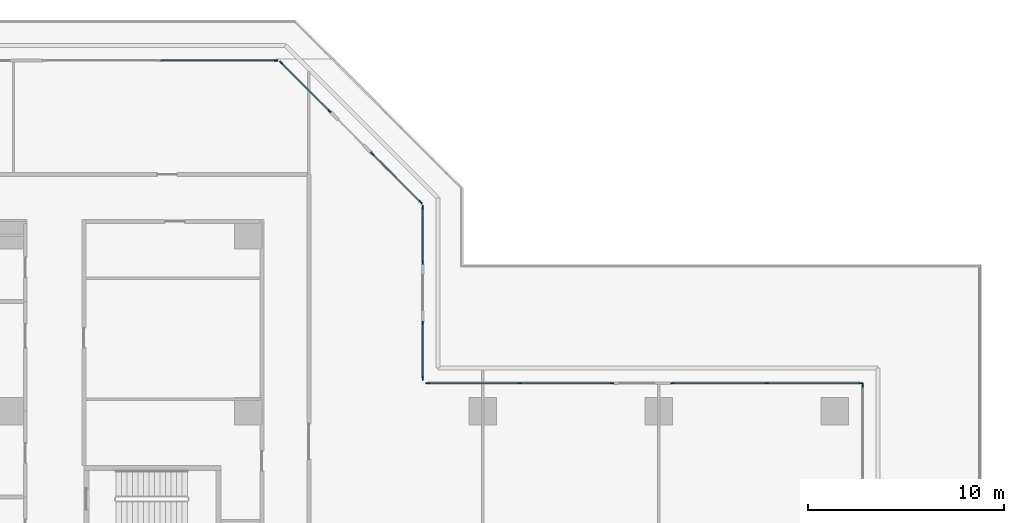
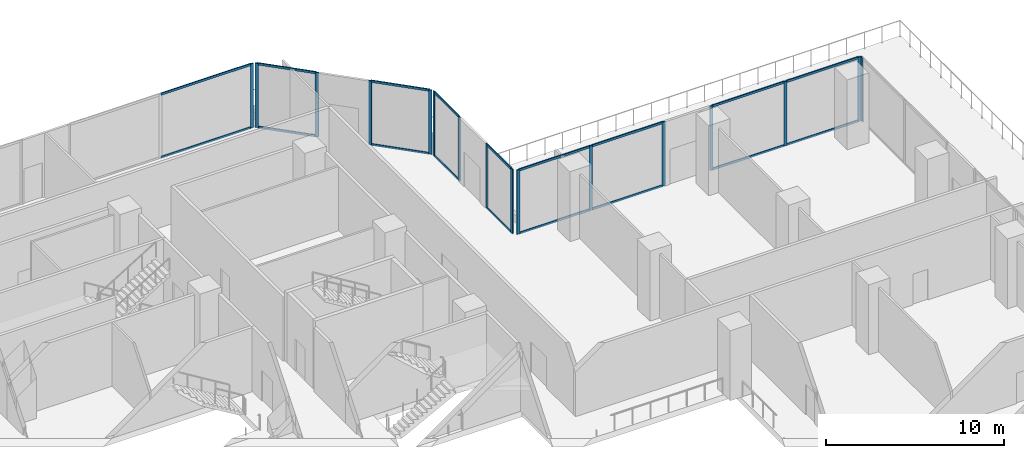
# One storey, part 9 of 26: 34 members, 8 elements without a shape of their own.
"""IFC4 building model written with IfcOpenShell, lengths in metres."""

from ifc_helpers import new_model, si_unit, direction, frame, origin, origin_2d, place, context, subcontext, project, spatial, rectangle, extrude, material, layer, layer_set, material_profile, profile_set, type_object, element, aggregate, save


model = new_model("IFC4")

# Units and contexts
model_context = context("Model", 3, precision=1e-05, world=origin(), true_north=direction((0.0, 1.0)))
body_context = subcontext(model_context, "Body", "Model", "MODEL_VIEW")
ifc_project = project(units=[si_unit("LENGTHUNIT", "METRE"), si_unit("AREAUNIT", "SQUARE_METRE"), si_unit("VOLUMEUNIT", "CUBIC_METRE"), si_unit("PLANEANGLEUNIT", "RADIAN"), si_unit("MASSUNIT", "GRAM", prefix="KILO")], contexts=[model_context])

# Site, building, storey
site_placement = place(None, origin())
site = spatial("IfcSite", under=ifc_project, at=site_placement, CompositionType="ELEMENT")
building_placement = place(site_placement, origin())
building = spatial("IfcBuilding", under=site, at=building_placement, Name="Chenar Terraces", CompositionType="ELEMENT")
storey_placement = place(building_placement, frame((0.0, 0.0, 16.800048828125)))
storey = spatial("IfcBuildingStorey", under=building, at=storey_placement, Name="L03", CompositionType="ELEMENT", Elevation=16.800048828125)

# Curtain wall, members
ifc_material_1 = material(Name="Aluminium framed glazing", Category="aluminium")
ifc_layer = layer(ifc_material_1, 0.14990234375)
ifc_layer_set = layer_set([ifc_layer], Name="Aluminium framed glazing")
curtain_wall_type = type_object("IfcCurtainWallType", Name="School curtain wall", PredefinedType="NOTDEFINED", material=ifc_layer_set)
placement = place(storey_placement, origin())
curtain_wall_1 = element("IfcCurtainWall", 1, at=placement, inside=storey, type_object=curtain_wall_type, Name="School curtain wall", PredefinedType="NOTDEFINED")
ifc_material_2 = material(Name="Aluminium", Category="aluminium")
ifc_material_profile_1 = material_profile(ifc_material_2, rectangle(XDim=0.070068359375, YDim=0.199951171875, at=origin_2d()), Name="School glazing mullion 70 x 200")
ifc_profile_set_1 = profile_set([ifc_material_profile_1], Name="Aluminium")
member_type_1 = type_object("IfcMemberType", Name="School glazing mullion 70 x 200", PredefinedType="MULLION", material=ifc_profile_set_1)
member_1_placement = place(storey_placement, frame((32.925048828125, 55.68505859375, 0.0), z_axis=(0.0, 0.0, 1.0), x_axis=(-1.0, 0.0, 0.0)))
member_1 = element("IfcMember", 2, at=member_1_placement, type_object=member_type_1, Name="CW2-01c0 mullion 1", PredefinedType="MULLION", context=body_context, shape_type="SweptSolid", body=[
    extrude(rectangle(XDim=0.070068359375, YDim=0.199951171875, at=origin_2d()), origin(), (0.0, 0.0, 1.0), 4.39990234375),
])
member_2_placement = place(storey_placement, frame((32.925048828125, 58.505859375, 0.0), z_axis=(0.0, 0.0, 1.0), x_axis=(-1.0, 0.0, 0.0)))
member_2 = element("IfcMember", 3, at=member_2_placement, type_object=member_type_1, Name="CW2-01c0 mullion 2", PredefinedType="MULLION", context=body_context, shape_type="SweptSolid", body=[
    extrude(rectangle(XDim=0.070068359375, YDim=0.199951171875, at=origin_2d()), origin(), (0.0, 0.0, 1.0), 4.39990234375),
])

curtain_wall_2 = element("IfcCurtainWall", 4, at=placement, inside=storey, type_object=curtain_wall_type, Name="School curtain wall", PredefinedType="NOTDEFINED")
member_3_placement = place(storey_placement, frame((32.925048828125, 61.600830078125, 0.0), z_axis=(0.0, 0.0, 1.0), x_axis=(-1.0, 0.0, 0.0)))
member_3 = element("IfcMember", 5, at=member_3_placement, type_object=member_type_1, Name="CW2-01c1 mullion 1", PredefinedType="MULLION", context=body_context, shape_type="SweptSolid", body=[
    extrude(rectangle(XDim=0.070068359375, YDim=0.199951171875, at=origin_2d()), origin(), (0.0, 0.0, 1.0), 4.39990234375),
])
member_4_placement = place(storey_placement, frame((32.925048828125, 64.421630859375, 0.0), z_axis=(0.0, 0.0, 1.0), x_axis=(-1.0, 0.0, 0.0)))
member_4 = element("IfcMember", 6, at=member_4_placement, type_object=member_type_1, Name="CW2-01c1 mullion 2", PredefinedType="MULLION", context=body_context, shape_type="SweptSolid", body=[
    extrude(rectangle(XDim=0.070068359375, YDim=0.199951171875, at=origin_2d()), origin(), (0.0, 0.0, 1.0), 4.39990234375),
])

curtain_wall_3 = element("IfcCurtainWall", 7, at=placement, inside=storey, type_object=curtain_wall_type, Name="School curtain wall", PredefinedType="NOTDEFINED")
member_5_placement = place(storey_placement, frame((32.816162109375, 64.684326171875, 0.0), z_axis=(0.0, 0.0, 1.0), x_axis=(-0.707106781187, -0.707106781187, 0.0)))
member_5 = element("IfcMember", 8, at=member_5_placement, type_object=member_type_1, Name="CW2-02c0 mullion 1", PredefinedType="MULLION", context=body_context, shape_type="SweptSolid", body=[
    extrude(rectangle(XDim=0.070068359375, YDim=0.199951171875, at=origin_2d()), origin(), (0.0, 0.0, 1.0), 4.39990234375),
])
member_6_placement = place(storey_placement, frame((30.344482421875, 67.156005859375, 0.0), z_axis=(0.0, 0.0, 1.0), x_axis=(-0.707106781187, -0.707106781187, 0.0)))
member_6 = element("IfcMember", 9, at=member_6_placement, type_object=member_type_1, Name="CW2-02c0 mullion 2", PredefinedType="MULLION", context=body_context, shape_type="SweptSolid", body=[
    extrude(rectangle(XDim=0.070068359375, YDim=0.199951171875, at=origin_2d()), origin(), (0.0, 0.0, 1.0), 4.39990234375),
])

curtain_wall_4 = element("IfcCurtainWall", 10, at=placement, inside=storey, type_object=curtain_wall_type, Name="School curtain wall", PredefinedType="NOTDEFINED")
member_7_placement = place(storey_placement, frame((28.156005859375, 69.344482421875, 0.0), z_axis=(0.0, 0.0, 1.0), x_axis=(-0.707106781187, -0.707106781187, 0.0)))
member_7 = element("IfcMember", 11, at=member_7_placement, type_object=member_type_1, Name="CW2-02c1 mullion 1", PredefinedType="MULLION", context=body_context, shape_type="SweptSolid", body=[
    extrude(rectangle(XDim=0.070068359375, YDim=0.199951171875, at=origin_2d()), origin(), (0.0, 0.0, 1.0), 4.39990234375),
])
member_8_placement = place(storey_placement, frame((25.684326171875, 71.816162109375, 0.0), z_axis=(0.0, 0.0, 1.0), x_axis=(-0.707106781187, -0.707106781187, 0.0)))
member_8 = element("IfcMember", 12, at=member_8_placement, type_object=member_type_1, Name="CW2-02c1 mullion 2", PredefinedType="MULLION", context=body_context, shape_type="SweptSolid", body=[
    extrude(rectangle(XDim=0.070068359375, YDim=0.199951171875, at=origin_2d()), origin(), (0.0, 0.0, 1.0), 4.39990234375),
])

# Curtain wall, member
curtain_wall_5 = element("IfcCurtainWall", 13, at=placement, inside=storey, type_object=curtain_wall_type, Name="School curtain wall", PredefinedType="NOTDEFINED")
member_9_placement = place(storey_placement, frame((25.421630859375, 71.925048828125, 0.0), z_axis=(0.0, 0.0, 1.0), x_axis=(0.0, -1.0, 0.0)))
member_9 = element("IfcMember", 14, at=member_9_placement, type_object=member_type_1, Name="CW2-03c0 mullion 1", PredefinedType="MULLION", context=body_context, shape_type="SweptSolid", body=[
    extrude(rectangle(XDim=0.070068359375, YDim=0.199951171875, at=origin_2d()), origin(), (0.0, 0.0, 1.0), 4.39990234375),
])

curtain_wall_6 = element("IfcCurtainWall", 15, at=placement, inside=storey, type_object=curtain_wall_type, Name="School curtain wall", PredefinedType="NOTDEFINED")
member_10_placement = place(storey_placement, frame((55.425048828125, 55.31494140625, 0.0), z_axis=(0.0, 0.0, 1.0), x_axis=(-1.0, 0.0, 0.0)))
member_10 = element("IfcMember", 16, at=member_10_placement, type_object=member_type_1, Name="CW2-12c1 mullion 3", PredefinedType="MULLION", context=body_context, shape_type="SweptSolid", body=[
    extrude(rectangle(XDim=0.070068359375, YDim=0.199951171875, at=origin_2d()), origin(), (0.0, 0.0, 1.0), 4.39990234375),
])
aggregate(curtain_wall_6, [member_10])

# Curtain wall, members
curtain_wall_7 = element("IfcCurtainWall", 17, at=placement, inside=storey, type_object=curtain_wall_type, Name="School curtain wall", PredefinedType="NOTDEFINED")
member_11_placement = place(storey_placement, frame((55.31494140625, 55.425048828125, 0.0), z_axis=(0.0, 0.0, 1.0), x_axis=(0.0, -1.0, 0.0)))
member_11 = element("IfcMember", 18, at=member_11_placement, type_object=member_type_1, Name="CW2-13c0 mullion 1", PredefinedType="MULLION", context=body_context, shape_type="SweptSolid", body=[
    extrude(rectangle(XDim=0.070068359375, YDim=0.199951171875, at=origin_2d()), origin(), (0.0, 0.0, 1.0), 4.39990234375),
])
member_12_placement = place(storey_placement, frame((50.50634765625, 55.425048828125, 0.0), z_axis=(0.0, 0.0, 1.0), x_axis=(0.0, -1.0, 0.0)))
member_12 = element("IfcMember", 19, at=member_12_placement, type_object=member_type_1, Name="CW2-13c0 mullion 2", PredefinedType="MULLION", context=body_context, shape_type="SweptSolid", body=[
    extrude(rectangle(XDim=0.070068359375, YDim=0.199951171875, at=origin_2d()), origin(), (0.0, 0.0, 1.0), 4.39990234375),
])
member_13_placement = place(storey_placement, frame((45.697509765625, 55.425048828125, 0.0), z_axis=(0.0, 0.0, 1.0), x_axis=(0.0, -1.0, 0.0)))
member_13 = element("IfcMember", 20, at=member_13_placement, type_object=member_type_1, Name="CW2-13c0 mullion 3", PredefinedType="MULLION", context=body_context, shape_type="SweptSolid", body=[
    extrude(rectangle(XDim=0.070068359375, YDim=0.199951171875, at=origin_2d()), origin(), (0.0, 0.0, 1.0), 4.39990234375),
])

curtain_wall_8 = element("IfcCurtainWall", 21, at=placement, inside=storey, type_object=curtain_wall_type, Name="School curtain wall", PredefinedType="NOTDEFINED")
member_14_placement = place(storey_placement, frame((42.6025390625, 55.425048828125, 0.0), z_axis=(0.0, 0.0, 1.0), x_axis=(0.0, -1.0, 0.0)))
member_14 = element("IfcMember", 22, at=member_14_placement, type_object=member_type_1, Name="CW2-13c1 mullion 1", PredefinedType="MULLION", context=body_context, shape_type="SweptSolid", body=[
    extrude(rectangle(XDim=0.070068359375, YDim=0.199951171875, at=origin_2d()), origin(), (0.0, 0.0, 1.0), 4.39990234375),
])
member_15_placement = place(storey_placement, frame((37.893798828125, 55.425048828125, 0.0), z_axis=(0.0, 0.0, 1.0), x_axis=(0.0, -1.0, 0.0)))
member_15 = element("IfcMember", 23, at=member_15_placement, type_object=member_type_1, Name="CW2-13c1 mullion 2", PredefinedType="MULLION", context=body_context, shape_type="SweptSolid", body=[
    extrude(rectangle(XDim=0.070068359375, YDim=0.199951171875, at=origin_2d()), origin(), (0.0, 0.0, 1.0), 4.39990234375),
])
member_16_placement = place(storey_placement, frame((33.18505859375, 55.425048828125, 0.0), z_axis=(0.0, 0.0, 1.0), x_axis=(0.0, -1.0, 0.0)))
member_16 = element("IfcMember", 24, at=member_16_placement, type_object=member_type_1, Name="CW2-13c1 mullion 3", PredefinedType="MULLION", context=body_context, shape_type="SweptSolid", body=[
    extrude(rectangle(XDim=0.070068359375, YDim=0.199951171875, at=origin_2d()), origin(), (0.0, 0.0, 1.0), 4.39990234375),
])

# Member
ifc_material_3 = material(Name="Aluminium", Category="aluminium")
ifc_material_profile_2 = material_profile(ifc_material_3, rectangle(XDim=0.070068359375, YDim=0.14990234375, at=origin_2d()), Name="School glazing transom 70 x 150")
ifc_profile_set_2 = profile_set([ifc_material_profile_2], Name="Aluminium")
member_type_2 = type_object("IfcMemberType", Name="School glazing transom 70 x 150", PredefinedType="USERDEFINED", material=ifc_profile_set_2)
member_17_placement = place(storey_placement, frame((32.925048828125, 55.719970703125, 0.034912109375), z_axis=(0.0, 1.0, 0.0), x_axis=(-1.0, 0.0, 0.0)))
member_17 = element("IfcMember", 25, at=member_17_placement, type_object=member_type_2, Name="CW2-01c0 transom 1.1", ObjectType="TRANSOM", PredefinedType="USERDEFINED", context=body_context, shape_type="SweptSolid", body=[
    extrude(rectangle(XDim=0.070068359375, YDim=0.14990234375, at=origin_2d()), origin(), (0.0, 0.0, 1.0), 2.750732421875),
])

member_18_placement = place(storey_placement, frame((32.925048828125, 55.719970703125, 4.364990234375), z_axis=(0.0, 1.0, 0.0), x_axis=(-1.0, 0.0, 0.0)))
member_18 = element("IfcMember", 26, at=member_18_placement, type_object=member_type_2, Name="CW2-01c0 transom 1.2", ObjectType="TRANSOM", PredefinedType="USERDEFINED", context=body_context, shape_type="SweptSolid", body=[
    extrude(rectangle(XDim=0.070068359375, YDim=0.14990234375, at=origin_2d()), origin(), (0.0, 0.0, 1.0), 2.750732421875),
])

aggregate(curtain_wall_1, [member_1, member_2, member_17, member_18])

member_19_placement = place(storey_placement, frame((32.925048828125, 61.6357421875, 0.034912109375), z_axis=(0.0, 1.0, 0.0), x_axis=(-1.0, 0.0, 0.0)))
member_19 = element("IfcMember", 27, at=member_19_placement, type_object=member_type_2, Name="CW2-01c1 transom 1.1", ObjectType="TRANSOM", PredefinedType="USERDEFINED", context=body_context, shape_type="SweptSolid", body=[
    extrude(rectangle(XDim=0.070068359375, YDim=0.14990234375, at=origin_2d()), origin(), (0.0, 0.0, 1.0), 2.7509765625),
])

member_20_placement = place(storey_placement, frame((32.925048828125, 61.6357421875, 4.364990234375), z_axis=(0.0, 1.0, 0.0), x_axis=(-1.0, 0.0, 0.0)))
member_20 = element("IfcMember", 28, at=member_20_placement, type_object=member_type_2, Name="CW2-01c1 transom 1.2", ObjectType="TRANSOM", PredefinedType="USERDEFINED", context=body_context, shape_type="SweptSolid", body=[
    extrude(rectangle(XDim=0.070068359375, YDim=0.14990234375, at=origin_2d()), origin(), (0.0, 0.0, 1.0), 2.7509765625),
])

aggregate(curtain_wall_2, [member_3, member_4, member_19, member_20])

member_21_placement = place(storey_placement, frame((32.79150390625, 64.709228515625, 0.034912109375), z_axis=(-0.707106781187, 0.707106781187, 0.0), x_axis=(-0.707106781187, -0.707106781187, 0.0)))
member_21 = element("IfcMember", 29, at=member_21_placement, type_object=member_type_2, Name="CW2-02c0 transom 1.1", ObjectType="TRANSOM", PredefinedType="USERDEFINED", context=body_context, shape_type="SweptSolid", body=[
    extrude(rectangle(XDim=0.070068359375, YDim=0.14990234375, at=origin_2d()), origin(), (0.0, 0.0, 1.0), 3.42529296875),
])

member_22_placement = place(storey_placement, frame((32.79150390625, 64.709228515625, 4.364990234375), z_axis=(-0.707106781187, 0.707106781187, 0.0), x_axis=(-0.707106781187, -0.707106781187, 0.0)))
member_22 = element("IfcMember", 30, at=member_22_placement, type_object=member_type_2, Name="CW2-02c0 transom 1.2", ObjectType="TRANSOM", PredefinedType="USERDEFINED", context=body_context, shape_type="SweptSolid", body=[
    extrude(rectangle(XDim=0.070068359375, YDim=0.14990234375, at=origin_2d()), origin(), (0.0, 0.0, 1.0), 3.42529296875),
])

aggregate(curtain_wall_3, [member_5, member_6, member_21, member_22])

member_23_placement = place(storey_placement, frame((28.13134765625, 69.369384765625, 0.034912109375), z_axis=(-0.707106781187, 0.707106781187, 0.0), x_axis=(-0.707106781187, -0.707106781187, 0.0)))
member_23 = element("IfcMember", 31, at=member_23_placement, type_object=member_type_2, Name="CW2-02c1 transom 1.1", ObjectType="TRANSOM", PredefinedType="USERDEFINED", context=body_context, shape_type="SweptSolid", body=[
    extrude(rectangle(XDim=0.070068359375, YDim=0.14990234375, at=origin_2d()), origin(), (0.0, 0.0, 1.0), 3.42529296875),
])

member_24_placement = place(storey_placement, frame((28.13134765625, 69.369384765625, 4.364990234375), z_axis=(-0.707106781187, 0.707106781187, 0.0), x_axis=(-0.707106781187, -0.707106781187, 0.0)))
member_24 = element("IfcMember", 32, at=member_24_placement, type_object=member_type_2, Name="CW2-02c1 transom 1.2", ObjectType="TRANSOM", PredefinedType="USERDEFINED", context=body_context, shape_type="SweptSolid", body=[
    extrude(rectangle(XDim=0.070068359375, YDim=0.14990234375, at=origin_2d()), origin(), (0.0, 0.0, 1.0), 3.42529296875),
])

aggregate(curtain_wall_4, [member_7, member_8, member_23, member_24])

member_25_placement = place(storey_placement, frame((25.38671875, 71.925048828125, 0.034912109375), z_axis=(-1.0, 0.0, 0.0), x_axis=(0.0, -1.0, 0.0)))
member_25 = element("IfcMember", 33, at=member_25_placement, type_object=member_type_2, Name="CW2-03c0 transom 1.1", ObjectType="TRANSOM", PredefinedType="USERDEFINED", context=body_context, shape_type="SweptSolid", body=[
    extrude(rectangle(XDim=0.070068359375, YDim=0.14990234375, at=origin_2d()), origin(), (0.0, 0.0, 1.0), 5.8671875),
])

member_26_placement = place(storey_placement, frame((25.38671875, 71.925048828125, 4.364990234375), z_axis=(-1.0, 0.0, 0.0), x_axis=(0.0, -1.0, 0.0)))
member_26 = element("IfcMember", 34, at=member_26_placement, type_object=member_type_2, Name="CW2-03c0 transom 1.2", ObjectType="TRANSOM", PredefinedType="USERDEFINED", context=body_context, shape_type="SweptSolid", body=[
    extrude(rectangle(XDim=0.070068359375, YDim=0.14990234375, at=origin_2d()), origin(), (0.0, 0.0, 1.0), 5.8671875),
])

aggregate(curtain_wall_5, [member_9, member_25, member_26])

member_27_placement = place(storey_placement, frame((55.280029296875, 55.425048828125, 0.034912109375), z_axis=(-1.0, 0.0, 0.0), x_axis=(0.0, -1.0, 0.0)))
member_27 = element("IfcMember", 35, at=member_27_placement, type_object=member_type_2, Name="CW2-13c0 transom 1.1", ObjectType="TRANSOM", PredefinedType="USERDEFINED", context=body_context, shape_type="SweptSolid", body=[
    extrude(rectangle(XDim=0.070068359375, YDim=0.14990234375, at=origin_2d()), origin(), (0.0, 0.0, 1.0), 4.73876953125),
])

member_28_placement = place(storey_placement, frame((55.280029296875, 55.425048828125, 4.364990234375), z_axis=(-1.0, 0.0, 0.0), x_axis=(0.0, -1.0, 0.0)))
member_28 = element("IfcMember", 36, at=member_28_placement, type_object=member_type_2, Name="CW2-13c0 transom 1.2", ObjectType="TRANSOM", PredefinedType="USERDEFINED", context=body_context, shape_type="SweptSolid", body=[
    extrude(rectangle(XDim=0.070068359375, YDim=0.14990234375, at=origin_2d()), origin(), (0.0, 0.0, 1.0), 4.73876953125),
])

member_29_placement = place(storey_placement, frame((50.47119140625, 55.425048828125, 0.034912109375), z_axis=(-1.0, 0.0, 0.0), x_axis=(0.0, -1.0, 0.0)))
member_29 = element("IfcMember", 37, at=member_29_placement, type_object=member_type_2, Name="CW2-13c0 transom 2.1", ObjectType="TRANSOM", PredefinedType="USERDEFINED", context=body_context, shape_type="SweptSolid", body=[
    extrude(rectangle(XDim=0.070068359375, YDim=0.14990234375, at=origin_2d()), origin(), (0.0, 0.0, 1.0), 4.73876953125),
])

member_30_placement = place(storey_placement, frame((50.47119140625, 55.425048828125, 4.364990234375), z_axis=(-1.0, 0.0, 0.0), x_axis=(0.0, -1.0, 0.0)))
member_30 = element("IfcMember", 38, at=member_30_placement, type_object=member_type_2, Name="CW2-13c0 transom 2.2", ObjectType="TRANSOM", PredefinedType="USERDEFINED", context=body_context, shape_type="SweptSolid", body=[
    extrude(rectangle(XDim=0.070068359375, YDim=0.14990234375, at=origin_2d()), origin(), (0.0, 0.0, 1.0), 4.73876953125),
])

aggregate(curtain_wall_7, [member_11, member_12, member_13, member_27, member_28, member_29, member_30])

member_31_placement = place(storey_placement, frame((42.5673828125, 55.425048828125, 0.034912109375), z_axis=(-1.0, 0.0, 0.0), x_axis=(0.0, -1.0, 0.0)))
member_31 = element("IfcMember", 39, at=member_31_placement, type_object=member_type_2, Name="CW2-13c1 transom 1.1", ObjectType="TRANSOM", PredefinedType="USERDEFINED", context=body_context, shape_type="SweptSolid", body=[
    extrude(rectangle(XDim=0.070068359375, YDim=0.14990234375, at=origin_2d()), origin(), (0.0, 0.0, 1.0), 4.638671875),
])

member_32_placement = place(storey_placement, frame((42.5673828125, 55.425048828125, 4.364990234375), z_axis=(-1.0, 0.0, 0.0), x_axis=(0.0, -1.0, 0.0)))
member_32 = element("IfcMember", 40, at=member_32_placement, type_object=member_type_2, Name="CW2-13c1 transom 1.2", ObjectType="TRANSOM", PredefinedType="USERDEFINED", context=body_context, shape_type="SweptSolid", body=[
    extrude(rectangle(XDim=0.070068359375, YDim=0.14990234375, at=origin_2d()), origin(), (0.0, 0.0, 1.0), 4.638671875),
])

member_33_placement = place(storey_placement, frame((37.858642578125, 55.425048828125, 0.034912109375), z_axis=(-1.0, 0.0, 0.0), x_axis=(0.0, -1.0, 0.0)))
member_33 = element("IfcMember", 41, at=member_33_placement, type_object=member_type_2, Name="CW2-13c1 transom 2.1", ObjectType="TRANSOM", PredefinedType="USERDEFINED", context=body_context, shape_type="SweptSolid", body=[
    extrude(rectangle(XDim=0.070068359375, YDim=0.14990234375, at=origin_2d()), origin(), (0.0, 0.0, 1.0), 4.638671875),
])

member_34_placement = place(storey_placement, frame((37.858642578125, 55.425048828125, 4.364990234375), z_axis=(-1.0, 0.0, 0.0), x_axis=(0.0, -1.0, 0.0)))
member_34 = element("IfcMember", 42, at=member_34_placement, type_object=member_type_2, Name="CW2-13c1 transom 2.2", ObjectType="TRANSOM", PredefinedType="USERDEFINED", context=body_context, shape_type="SweptSolid", body=[
    extrude(rectangle(XDim=0.070068359375, YDim=0.14990234375, at=origin_2d()), origin(), (0.0, 0.0, 1.0), 4.638671875),
])

aggregate(curtain_wall_8, [member_14, member_15, member_16, member_31, member_32, member_33, member_34])

save(model, "model.ifc")
